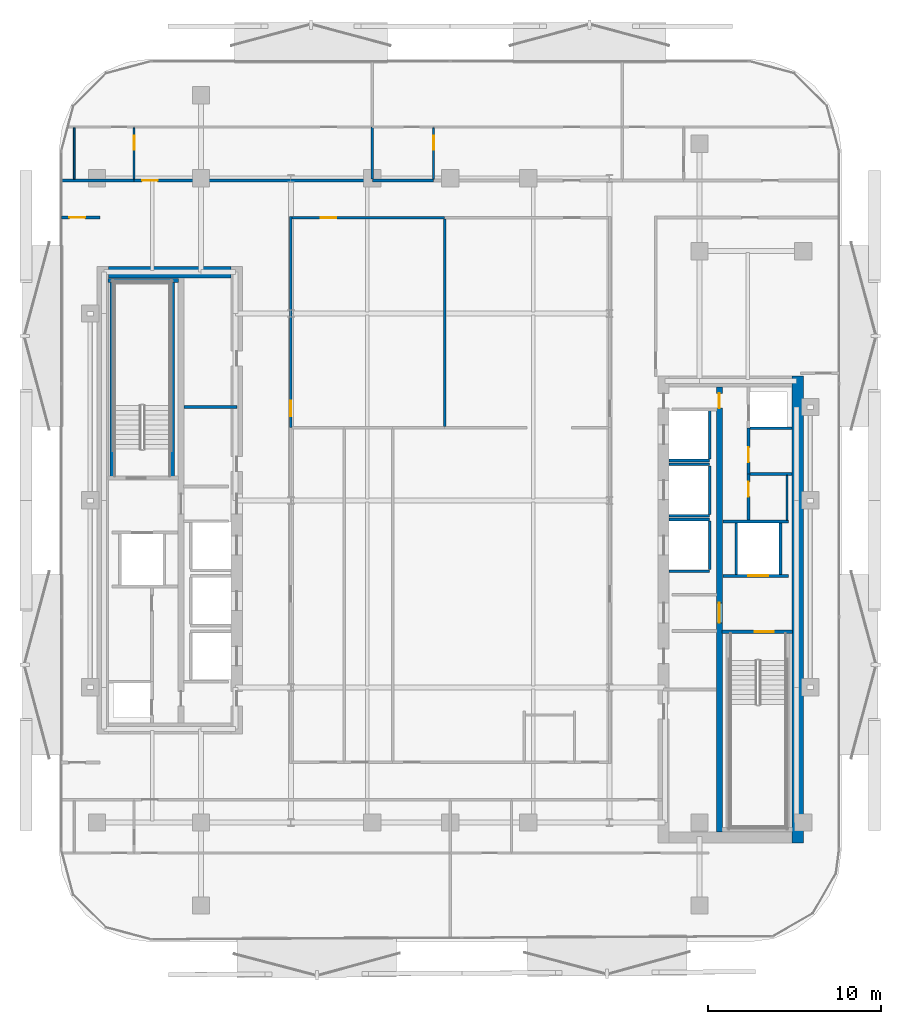
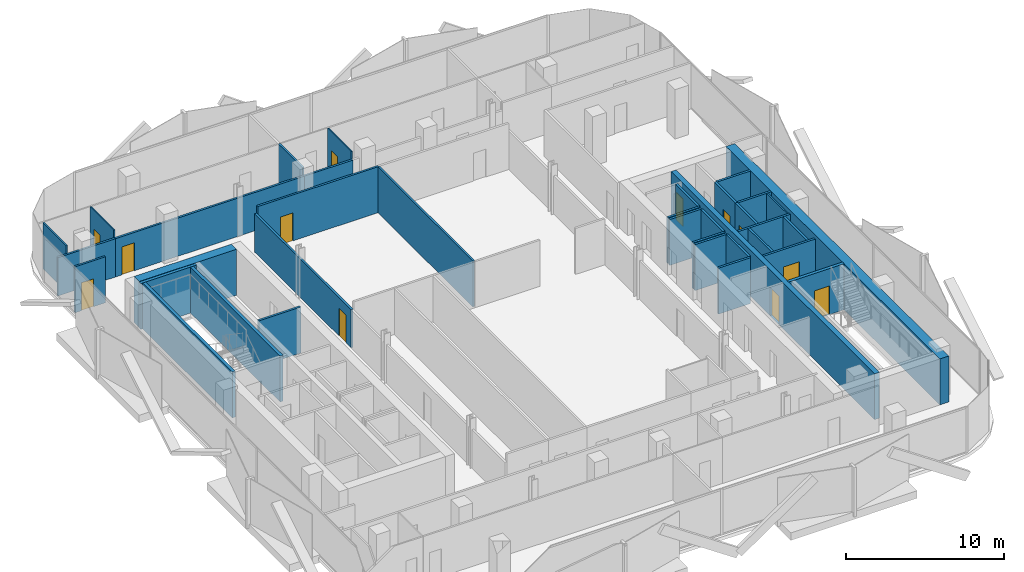
# One storey, part 5 of 16: 36 walls, 12 doors, 12 openings.
"""IFC4 building model written with IfcOpenShell, lengths in metres."""

import ifcopenshell
import ifcopenshell.guid

model = None  # the IFC model being written
_history = None  # IfcOwnerHistory: only IFC2X3 demands one
_inside = {}  # id of a spatial element -> (the spatial element, [elements in it])
_under = {}  # id of a project, library or spatial element -> (it, [spatial elements below it])
_declared = {}  # id of a project -> (the project, [libraries it declares])
_typed = {}  # id of a type object -> (the type object, [elements of that type])
_made_of = {}  # id of a material, layer set ... -> (it, [elements and type objects made of it])


def new_model(schema):
    """Start an empty IFC model of exactly this schema.

    Asked for "IFC4X3", IfcOpenShell would pick the latest addendum, in which some entities
    have other attributes; the version numbers below select the first issue.
    IFC2X3 requires an IfcOwnerHistory on every rooted entity: one is made here for all.
    """
    global model, _history
    if schema == "IFC4X3":
        model = ifcopenshell.file(schema_version=(4, 3, 0, 0))
    else:
        model = ifcopenshell.file(schema=schema)
    _inside.clear()
    _under.clear()
    _declared.clear()
    _typed.clear()
    _made_of.clear()
    _history = None
    if model.schema == "IFC2X3":
        org = make("IfcOrganization", Name="unknown")
        user = make(
            "IfcPersonAndOrganization",
            ThePerson=make("IfcPerson", FamilyName="unknown"),
            TheOrganization=org,
        )
        app = make(
            "IfcApplication",
            ApplicationDeveloper=org,
            Version="unknown",
            ApplicationFullName="unknown",
            ApplicationIdentifier="unknown",
        )
        _history = make(
            "IfcOwnerHistory",
            OwningUser=user,
            OwningApplication=app,
            ChangeAction="ADDED",
            CreationDate=0,
        )
    return model


def make(cls, **values):
    """One entity of the class cls with the attributes given. An attribute that is None is left unset."""
    return model.create_entity(
        cls, **{name: value for name, value in values.items() if value is not None}
    )


def rooted(cls, **values):
    """An entity with a GlobalId (a new one), such as an element, a storey or a relation."""
    return make(cls, GlobalId=ifcopenshell.guid.new(), OwnerHistory=_history, **values)


def si_unit(unit_type, name, prefix=None):
    """IfcSIUnit, for example si_unit("LENGTHUNIT", "METRE", prefix="MILLI")."""
    return make("IfcSIUnit", UnitType=unit_type, Prefix=prefix, Name=name)


def assignment(units):
    """IfcUnitAssignment: the units of a project."""
    return None if units is None else make("IfcUnitAssignment", Units=units)


def point(xyz):
    """IfcCartesianPoint."""
    return None if xyz is None else make("IfcCartesianPoint", Coordinates=xyz)


def direction(xyz):
    """IfcDirection."""
    return None if xyz is None else make("IfcDirection", DirectionRatios=xyz)


def frame(location, z_axis=None, x_axis=None):
    """IfcAxis2Placement3D, a coordinate frame: its origin and axes. An axis left out is left unset."""
    return make(
        "IfcAxis2Placement3D",
        Location=point(location),
        Axis=direction(z_axis),
        RefDirection=direction(x_axis),
    )


def frame_2d(location, x_axis=None):
    """IfcAxis2Placement2D, a coordinate frame in the plane: its origin and x axis."""
    return make(
        "IfcAxis2Placement2D", Location=point(location), RefDirection=direction(x_axis)
    )


def origin():
    """The frame at (0, 0, 0) with its axes left unset."""
    return frame((0.0, 0.0, 0.0))


def place(relative_to, where):
    """IfcLocalPlacement: puts the frame where relative to a parent placement (None: the world)."""
    return make(
        "IfcLocalPlacement", PlacementRelTo=relative_to, RelativePlacement=where
    )


def context(
    kind, dimensions, precision=None, world=None, true_north=None, identifier=None
):
    """IfcGeometricRepresentationContext, for example the 3D "Model" context."""
    return make(
        "IfcGeometricRepresentationContext",
        ContextIdentifier=identifier,
        ContextType=kind,
        CoordinateSpaceDimension=dimensions,
        Precision=precision,
        WorldCoordinateSystem=world,
        TrueNorth=true_north,
    )


def subcontext(parent, identifier, kind, view, scale=None):
    """IfcGeometricRepresentationSubContext, for example "Body" below "Model"."""
    return make(
        "IfcGeometricRepresentationSubContext",
        ContextIdentifier=identifier,
        ContextType=kind,
        ParentContext=parent,
        TargetScale=scale,
        TargetView=view,
    )


def project(units=None, contexts=None):
    """IfcProject with its units and contexts."""
    return rooted(
        "IfcProject",
        Name="project",
        RepresentationContexts=contexts,
        UnitsInContext=assignment(units),
    )


def spatial(cls, under=None, at=None, **own):
    """A site, building, storey or space (cls), placed at a placement, below another one or the project."""
    s = rooted(cls, ObjectPlacement=at, **own)
    if under is not None:
        _under.setdefault(under.id(), (under, []))[1].append(s)
    return s


def profile(cls, at=None, kind="AREA", **sizes):
    """A parametric profile (cls). Its sizes go by their IFC names, for example OverallWidth=200.0."""
    return make(cls, ProfileType=kind, Position=at, **sizes)


def rectangle(**sizes):
    """IfcRectangleProfileDef."""
    return profile("IfcRectangleProfileDef", **sizes)


def extrude(swept, where, along, depth):
    """IfcExtrudedAreaSolid: the profile swept, set in the frame where, extruded along a direction by depth."""
    return make(
        "IfcExtrudedAreaSolid",
        SweptArea=swept,
        Position=where,
        ExtrudedDirection=direction(along),
        Depth=depth,
    )


def shape(context_of_items, identifier, shape_type, items):
    """IfcShapeRepresentation: the items that make up one representation, for example the "Body"."""
    return make(
        "IfcShapeRepresentation",
        ContextOfItems=context_of_items,
        RepresentationIdentifier=identifier,
        RepresentationType=shape_type,
        Items=items,
    )


def material(Name=None, Category=None):
    """IfcMaterial."""
    return make("IfcMaterial", Name=Name, Category=Category)


def layer(
    of_material, thickness, ventilated=None, Name=None, Category=None, Priority=None
):
    """IfcMaterialLayer: one layer of a wall or slab, of a material (None: an air gap)."""
    return make(
        "IfcMaterialLayer",
        Material=of_material,
        LayerThickness=thickness,
        IsVentilated=ventilated,
        Name=Name,
        Category=Category,
        Priority=Priority,
    )


def layer_set(layers, Name=None):
    """IfcMaterialLayerSet."""
    return make("IfcMaterialLayerSet", MaterialLayers=layers, LayerSetName=Name)


def made_of(thing, what):
    """Note that an element or type object is made of a material, layer set ...; save() writes the relation."""
    if what is not None:
        _made_of.setdefault(what.id(), (what, []))[1].append(thing)
    return thing


def type_object(cls, material=None, **own):
    """A type object (cls), such as IfcWallType, which elements share."""
    return made_of(rooted(cls, **own), material)


def element(
    cls,
    number,
    at=None,
    inside=None,
    cuts=None,
    type_object=None,
    material=None,
    context=None,
    identifier="Body",
    shape_type=None,
    held_by="IfcProductDefinitionShape",
    body=None,
    shapes=None,
    **own,
):
    """One element of the class cls, such as IfcWall. Its Tag is "e" and its number.

    at: its placement. inside: the storey or other place that contains it. cuts: it is an
    opening in that element (IfcRelVoidsElement). A single representation is given by context,
    identifier, shape_type and body (its items); several are given by shapes. held_by: the class
    of the entity that holds the representations. save() writes the other relations.
    """
    e = rooted(cls, Tag="e%d" % number, ObjectPlacement=at, **own)
    if body is not None:
        shapes = [shape(context, identifier, shape_type, body)]
    if shapes is not None:
        e.Representation = make(held_by, Representations=shapes)
    if inside is not None:
        _inside.setdefault(inside.id(), (inside, []))[1].append(e)
    if cuts is not None:
        rooted(
            "IfcRelVoidsElement", RelatingBuildingElement=cuts, RelatedOpeningElement=e
        )
    if type_object is not None:
        _typed.setdefault(type_object.id(), (type_object, []))[1].append(e)
    return made_of(e, material)


def fill(opening, filler):
    """IfcRelFillsElement: the door or window that sits in an opening."""
    return rooted(
        "IfcRelFillsElement",
        RelatingOpeningElement=opening,
        RelatedBuildingElement=filler,
    )


def aggregate(whole, parts):
    """IfcRelAggregates: a whole, such as a stair, and the parts it consists of."""
    return rooted("IfcRelAggregates", RelatingObject=whole, RelatedObjects=parts)


def save(model, path):
    """Write the relations noted so far, then the file.

    IfcRelAggregates (storeys below a building ...), IfcRelContainedInSpatialStructure (elements
    in a storey), IfcRelDefinesByType, IfcRelAssociatesMaterial and IfcRelDeclares: one each for
    every whole, place, type object, material and project.
    """
    for whole, parts in _under.values():
        aggregate(whole, parts)
    for where, things in _inside.values():
        rooted(
            "IfcRelContainedInSpatialStructure",
            RelatedElements=things,
            RelatingStructure=where,
        )
    for kind, things in _typed.values():
        rooted("IfcRelDefinesByType", RelatedObjects=things, RelatingType=kind)
    for what, things in _made_of.values():
        rooted("IfcRelAssociatesMaterial", RelatedObjects=things, RelatingMaterial=what)
    for by, libraries in _declared.values():
        rooted("IfcRelDeclares", RelatingContext=by, RelatedDefinitions=libraries)
    model.write(path)


model = new_model("IFC4")

# Units and contexts
model_context = context("Model", 3, precision=1e-05, world=origin(), true_north=direction((0.0, 1.0)))
body_context = subcontext(model_context, "Body", "Model", "MODEL_VIEW")
ifc_project = project(units=[si_unit("LENGTHUNIT", "METRE"), si_unit("AREAUNIT", "SQUARE_METRE"), si_unit("VOLUMEUNIT", "CUBIC_METRE"), si_unit("PLANEANGLEUNIT", "RADIAN"), si_unit("MASSUNIT", "GRAM", prefix="KILO")], contexts=[model_context])

# Site, building, storey
site_placement = place(None, origin())
site = spatial("IfcSite", under=ifc_project, at=site_placement, CompositionType="ELEMENT")
building_placement = place(site_placement, origin())
building = spatial("IfcBuilding", under=site, at=building_placement, Name="Khairoan Windgate Tower", CompositionType="ELEMENT")
storey_placement = place(building_placement, frame((0.0, 0.0, 206.800048828125)))
storey = spatial("IfcBuildingStorey", under=building, at=storey_placement, Name="L48", CompositionType="ELEMENT", Elevation=206.800048828125)

# Wall, opening, door
ifc_material_1 = material(Name="Moisture-Resistant Gypsum Partition", Category="gypsum")
ifc_layer_1 = layer(ifc_material_1, 0.10009765625, Name="Moisture-Resistant Gypsum Partition")
ifc_layer_set_1 = layer_set([ifc_layer_1], Name="Moisture-Resistant Gypsum Partition")
wall_type_1 = type_object("IfcWallType", Name="Bathroom Wet-Area Partition Wall", PredefinedType="PARTITIONING", material=ifc_layer_set_1)
wall_1_placement = place(storey_placement, frame((-18.260009765625, 18.554931640625, 0.0), z_axis=(0.0, 0.0, 1.0), x_axis=(0.0, 1.0, 0.0)))
wall_1 = element("IfcWall", 1, at=wall_1_placement, inside=storey, type_object=wall_type_1, Name="L48 Interior Partition 046", PredefinedType="PARTITIONING", context=body_context, shape_type="SweptSolid", body=[
    extrude(rectangle(XDim=2.965087890625, YDim=0.10009765625, at=frame_2d((1.482421875, 0.0))), origin(), (0.0, 0.0, 1.0), 3.5400390625),
])
opening_1_placement = place(wall_1_placement, frame((1.705078125, 0.0, 0.0)))
opening_1 = element("IfcOpeningElement", 2, at=opening_1_placement, cuts=wall_1, Name="Opening ID-BTH", PredefinedType="OPENING", context=body_context, shape_type="SweptSolid", body=[
    extrude(rectangle(XDim=0.800048828125, YDim=2.10009765625, at=frame_2d((0.39990234375, 1.050048828125))), frame((0.0, 0.06005859375, 0.0), z_axis=(0.0, -1.0, 0.0), x_axis=(1.0, 0.0, 0.0)), (0.0, 0.0, 1.0), 0.1201171875),
])
ifc_material_2 = material(Name="Teak Veneer Timber Leaf", Category="wood")
door_type_1 = type_object("IfcDoorType", Name="Internal Bathroom Door ID-BTH 800x2100", OperationType="NOTDEFINED", PredefinedType="DOOR", material=ifc_material_2)
door_1_placement = place(opening_1_placement, origin())
door_1 = element("IfcDoor", 3, at=door_1_placement, inside=storey, type_object=door_type_1, Name="L48 L48-39-L48-40 Door", OperationType="SINGLE_SWING_LEFT", OverallHeight=2.10009765625, OverallWidth=0.800048828125, PredefinedType="DOOR", context=body_context, shape_type="SweptSolid", body=[
    extrude(rectangle(XDim=0.800048828125, YDim=2.10009765625, at=frame_2d((0.39990234375, 1.050048828125))), frame((0.0, 0.02490234375, 0.0), z_axis=(0.0, -1.0, 0.0), x_axis=(1.0, 0.0, 0.0)), (0.0, 0.0, 1.0), 0.050048828125),
])
fill(opening_1, door_1)

wall_2_placement = place(storey_placement, frame((-0.9599609375, 18.554931640625, 0.0), z_axis=(0.0, 0.0, 1.0), x_axis=(0.0, 1.0, 0.0)))
wall_2 = element("IfcWall", 4, at=wall_2_placement, inside=storey, type_object=wall_type_1, Name="L48 Interior Partition 051", PredefinedType="PARTITIONING", context=body_context, shape_type="SweptSolid", body=[
    extrude(rectangle(XDim=2.965087890625, YDim=0.10009765625, at=frame_2d((1.482421875, 0.0))), origin(), (0.0, 0.0, 1.0), 3.5400390625),
])
opening_2_placement = place(wall_2_placement, frame((1.705078125, 0.0, 0.0)))
opening_2 = element("IfcOpeningElement", 5, at=opening_2_placement, cuts=wall_2, Name="Opening ID-BTH", PredefinedType="OPENING", context=body_context, shape_type="SweptSolid", body=[
    extrude(rectangle(XDim=0.800048828125, YDim=2.10009765625, at=frame_2d((0.39990234375, 1.050048828125))), frame((0.0, 0.06005859375, 0.0), z_axis=(0.0, -1.0, 0.0), x_axis=(1.0, 0.0, 0.0)), (0.0, 0.0, 1.0), 0.1201171875),
])
door_2_placement = place(opening_2_placement, origin())
door_2 = element("IfcDoor", 6, at=door_2_placement, inside=storey, type_object=door_type_1, Name="L48 L48-42-L48-43 Door", OperationType="SINGLE_SWING_RIGHT", OverallHeight=2.10009765625, OverallWidth=0.800048828125, PredefinedType="DOOR", context=body_context, shape_type="SweptSolid", body=[
    extrude(rectangle(XDim=0.800048828125, YDim=2.10009765625, at=frame_2d((0.39990234375, 1.050048828125))), frame((0.0, 0.02490234375, 0.0), z_axis=(0.0, -1.0, 0.0), x_axis=(1.0, 0.0, 0.0)), (0.0, 0.0, 1.0), 0.050048828125),
])
fill(opening_2, door_2)

# Walls
wall_3_placement = place(storey_placement, frame((19.449951171875, 1.449951171875, 0.0), z_axis=(0.0, 0.0, 1.0), x_axis=(0.0, -1.0, 0.0)))
element("IfcWall", 7, at=wall_3_placement, inside=storey, type_object=wall_type_1, Name="L48 Wet Room Side Wall 068", PredefinedType="PARTITIONING", context=body_context, shape_type="SweptSolid", body=[
    extrude(rectangle(XDim=2.58984375, YDim=0.10009765625, at=frame_2d((1.294921875, 0.0))), origin(), (0.0, 0.0, 1.0), 3.5400390625),
])
wall_4_placement = place(storey_placement, frame((-21.719970703125, 18.554931640625, 0.0), z_axis=(0.0, 0.0, 1.0), x_axis=(0.0, 1.0, 0.0)))
element("IfcWall", 8, at=wall_4_placement, inside=storey, type_object=wall_type_1, Name="L48 Wet Room Side Wall 070", PredefinedType="PARTITIONING", context=body_context, shape_type="SweptSolid", body=[
    extrude(rectangle(XDim=2.965087890625, YDim=0.10009765625, at=frame_2d((1.482421875, 0.0))), origin(), (0.0, 0.0, 1.0), 3.5400390625),
])
ifc_material_3 = material(Name="Concrete C40/50", Category="concrete")
ifc_layer_2 = layer(ifc_material_3, 0.159912109375, Name="Concrete C40/50")
ifc_layer_set_2 = layer_set([ifc_layer_2], Name="Concrete C40/50")
wall_type_2 = type_object("IfcWallType", Name="Core and Hoistway Enclosure Wall", PredefinedType="STANDARD", material=ifc_layer_set_2)
wall_5_placement = place(storey_placement, frame((12.64990234375, 2.31005859375, 0.0), z_axis=(0.0, 0.0, 1.0), x_axis=(1.0, 0.0, 0.0)))
element("IfcWall", 9, at=wall_5_placement, inside=storey, type_object=wall_type_2, Name="L48 Lift PL7 Hoistway Divider S", PredefinedType="STANDARD", context=body_context, shape_type="SweptSolid", body=[
    extrude(rectangle(XDim=2.340087890625, YDim=0.159912109375, at=frame_2d((1.169921875, 0.0))), origin(), (0.0, 0.0, 1.0), 3.5400390625),
])
wall_6_placement = place(storey_placement, frame((14.989990234375, 2.39990234375, 0.0), z_axis=(0.0, 0.0, 1.0), x_axis=(0.0, 1.0, 0.0)))
element("IfcWall", 10, at=wall_6_placement, inside=storey, type_object=wall_type_2, Name="L48 Lift PL7 Hoistway Back Wall", PredefinedType="STANDARD", context=body_context, shape_type="SweptSolid", body=[
    extrude(rectangle(XDim=2.800048828125, YDim=0.159912109375, at=frame_2d((1.39990234375, 0.0))), origin(), (0.0, 0.0, 1.0), 3.5400390625),
])
for number, where, z_axis, x_axis, name in (
    (11, (12.64990234375, -0.889892578125, 0.0), (0.0, 0.0, 1.0), (1.0, 0.0, 0.0), "L48 Lift PL8 Hoistway Divider S"),
    (12, (12.64990234375, 2.090087890625, 0.0), (0.0, 0.0, 1.0), (1.0, 0.0, 0.0), "L48 Lift PL8 Hoistway Divider N"),
):
    element("IfcWall", number, at=place(storey_placement, frame(where, z_axis=z_axis, x_axis=x_axis)), inside=storey, type_object=wall_type_2, Name=name, PredefinedType="STANDARD", context=body_context, shape_type="SweptSolid", body=[
        extrude(rectangle(XDim=2.340087890625, YDim=0.159912109375, at=frame_2d((1.169921875, 0.0))), origin(), (0.0, 0.0, 1.0), 3.5400390625),
    ])
wall_7_placement = place(storey_placement, frame((14.989990234375, -0.800048828125, 0.0), z_axis=(0.0, 0.0, 1.0), x_axis=(0.0, 1.0, 0.0)))
element("IfcWall", 13, at=wall_7_placement, inside=storey, type_object=wall_type_2, Name="L48 Lift PL8 Hoistway Back Wall", PredefinedType="STANDARD", context=body_context, shape_type="SweptSolid", body=[
    extrude(rectangle(XDim=2.800048828125, YDim=0.159912109375, at=frame_2d((1.39990234375, 0.0))), origin(), (0.0, 0.0, 1.0), 3.5400390625),
])
for number, where, z_axis, x_axis, name in (
    (14, (12.64990234375, -4.090087890625, 0.0), (0.0, 0.0, 1.0), (1.0, 0.0, 0.0), "L48 Lift PL9 Hoistway Divider S"),
    (15, (12.64990234375, -1.110107421875, 0.0), (0.0, 0.0, 1.0), (1.0, 0.0, 0.0), "L48 Lift PL9 Hoistway Divider N"),
):
    element("IfcWall", number, at=place(storey_placement, frame(where, z_axis=z_axis, x_axis=x_axis)), inside=storey, type_object=wall_type_2, Name=name, PredefinedType="STANDARD", context=body_context, shape_type="SweptSolid", body=[
        extrude(rectangle(XDim=2.340087890625, YDim=0.159912109375, at=frame_2d((1.169921875, 0.0))), origin(), (0.0, 0.0, 1.0), 3.5400390625),
    ])
wall_8_placement = place(storey_placement, frame((14.989990234375, -4.0, 0.0), z_axis=(0.0, 0.0, 1.0), x_axis=(0.0, 1.0, 0.0)))
element("IfcWall", 16, at=wall_8_placement, inside=storey, type_object=wall_type_2, Name="L48 Lift PL9 Hoistway Back Wall", PredefinedType="STANDARD", context=body_context, shape_type="SweptSolid", body=[
    extrude(rectangle(XDim=2.800048828125, YDim=0.159912109375, at=frame_2d((1.39990234375, 0.0))), origin(), (0.0, 0.0, 1.0), 3.5400390625),
])

# Wall, opening, door
wall_9_placement = place(storey_placement, frame((15.75, -4.360107421875, 0.0), z_axis=(0.0, 0.0, 1.0), x_axis=(1.0, 0.0, 0.0)))
wall_9 = element("IfcWall", 17, at=wall_9_placement, inside=storey, type_object=wall_type_2, Name="L48 Core Shaft Wall SW-FL1-L48", PredefinedType="STANDARD", context=body_context, shape_type="SweptSolid", body=[
    extrude(rectangle(XDim=3.800048828125, YDim=0.159912109375, at=frame_2d((1.89990234375, 0.0))), origin(), (0.0, 0.0, 1.0), 3.5400390625),
])
opening_3_placement = place(wall_9_placement, frame((1.469970703125, 0.0, 0.0)))
opening_3 = element("IfcOpeningElement", 18, at=opening_3_placement, cuts=wall_9, Name="Opening LD-FL", PredefinedType="OPENING", context=body_context, shape_type="SweptSolid", body=[
    extrude(rectangle(XDim=1.14990234375, YDim=2.199951171875, at=frame_2d((0.574951171875, 1.10009765625))), frame((0.0, 0.08984375, 0.0), z_axis=(0.0, -1.0, 0.0), x_axis=(1.0, 0.0, 0.0)), (0.0, 0.0, 1.0), 0.179931640625),
])
ifc_material_4 = material(Name="Steel S355", Category="steel")
door_type_2 = type_object("IfcDoorType", Name="Firefighting Lift Sliding Landing Door LD-FL 1150x2200", OperationType="DOUBLE_DOOR_SLIDING", PredefinedType="DOOR", material=ifc_material_4)
door_3_placement = place(opening_3_placement, origin())
door_3 = element("IfcDoor", 19, at=door_3_placement, inside=storey, type_object=door_type_2, Name="L48 Firefighting Lift FL1 Landing Door", OperationType="DOUBLE_DOOR_SLIDING", OverallHeight=2.199951171875, OverallWidth=1.14990234375, PredefinedType="DOOR", context=body_context, shape_type="SweptSolid", body=[
    extrude(rectangle(XDim=1.14990234375, YDim=2.199951171875, at=frame_2d((0.574951171875, 1.10009765625))), frame((0.0, 0.02490234375, 0.0), z_axis=(0.0, -1.0, 0.0), x_axis=(1.0, 0.0, 0.0)), (0.0, 0.0, 1.0), 0.050048828125),
])
fill(opening_3, door_3)

# Walls
wall_10_placement = place(storey_placement, frame((15.75, -1.219970703125, 0.0), z_axis=(0.0, 0.0, 1.0), x_axis=(1.0, 0.0, 0.0)))
element("IfcWall", 20, at=wall_10_placement, inside=storey, type_object=wall_type_2, Name="L48 Core Shaft Wall SW-FL1T-L48", PredefinedType="STANDARD", context=body_context, shape_type="SweptSolid", body=[
    extrude(rectangle(XDim=3.800048828125, YDim=0.159912109375, at=frame_2d((1.89990234375, 0.0))), origin(), (0.0, 0.0, 1.0), 3.5400390625),
])
for number, where, z_axis, x_axis, name in (
    (21, (16.52001953125, -4.280029296875, 0.0), (0.0, 0.0, 1.0), (0.0, 1.0, 0.0), "L48 Core Shaft Wall SW-FL1W-L48"),
    (22, (19.080078125, -4.280029296875, 0.0), (0.0, 0.0, 1.0), (0.0, 1.0, 0.0), "L48 Core Shaft Wall SW-FL1E-L48"),
):
    element("IfcWall", number, at=place(storey_placement, frame(where, z_axis=z_axis, x_axis=x_axis)), inside=storey, type_object=wall_type_2, Name=name, PredefinedType="STANDARD", context=body_context, shape_type="SweptSolid", body=[
        extrude(rectangle(XDim=2.97998046875, YDim=0.159912109375, at=frame_2d((1.489990234375, 0.0))), origin(), (0.0, 0.0, 1.0), 3.5400390625),
    ])
ifc_material_5 = material(Name="Acoustic Fire-Rated Gypsum Partition", Category="gypsum")
ifc_layer_3 = layer(ifc_material_5, 0.139892578125, Name="Acoustic Fire-Rated Gypsum Partition")
ifc_layer_set_3 = layer_set([ifc_layer_3], Name="Acoustic Fire-Rated Gypsum Partition")
wall_type_3 = type_object("IfcWallType", Name="Inter-Tenancy Compartment Wall", PredefinedType="PARTITIONING", material=ifc_layer_set_3)
wall_11_placement = place(storey_placement, frame((-0.320068359375, 4.27001953125, 0.0), z_axis=(0.0, 0.0, 1.0), x_axis=(0.0, 1.0, 0.0)))
element("IfcWall", 23, at=wall_11_placement, inside=storey, type_object=wall_type_3, Name="L48 Interior Partition 045", PredefinedType="PARTITIONING", context=body_context, shape_type="SweptSolid", body=[
    extrude(rectangle(XDim=11.97509765625, YDim=0.139892578125, at=frame_2d((5.987548828125, 0.0))), origin(), (0.0, 0.0, 1.0), 3.5400390625),
])
wall_12_placement = place(storey_placement, frame((-4.5, 18.554931640625, 0.0), z_axis=(0.0, 0.0, 1.0), x_axis=(0.0, 1.0, 0.0)))
element("IfcWall", 24, at=wall_12_placement, inside=storey, type_object=wall_type_3, Name="L48 Interior Partition 049", PredefinedType="PARTITIONING", context=body_context, shape_type="SweptSolid", body=[
    extrude(rectangle(XDim=3.01513671875, YDim=0.139892578125, at=frame_2d((1.507568359375, 0.0))), origin(), (0.0, 0.0, 1.0), 3.5400390625),
])
ifc_material_6 = material(Name="Concrete C40/50", Category="concrete")
ifc_layer_4 = layer(ifc_material_6, 0.159912109375, Name="Concrete C40/50")
ifc_layer_set_4 = layer_set([ifc_layer_4], Name="Concrete C40/50")
wall_type_4 = type_object("IfcWallType", Name="Plant and Refuge Compartment Wall", PredefinedType="PARTITIONING", material=ifc_layer_set_4)
wall_13_placement = place(storey_placement, frame((-15.375, 5.39990234375, 0.0), z_axis=(0.0, 0.0, 1.0), x_axis=(1.0, 0.0, 0.0)))
element("IfcWall", 25, at=wall_13_placement, inside=storey, type_object=wall_type_4, Name="L48 Interior Partition 004", PredefinedType="PARTITIONING", context=body_context, shape_type="SweptSolid", body=[
    extrude(rectangle(XDim=3.06494140625, YDim=0.159912109375, at=frame_2d((1.532470703125, 0.0))), origin(), (0.0, 0.0, 1.0), 3.5400390625),
])

# Wall, opening, door
wall_14_placement = place(storey_placement, frame((17.22998046875, -1.139892578125, 0.0), z_axis=(0.0, 0.0, 1.0), x_axis=(0.0, 1.0, 0.0)))
wall_14 = element("IfcWall", 26, at=wall_14_placement, inside=storey, type_object=wall_type_4, Name="L48 Interior Partition 006", PredefinedType="PARTITIONING", context=body_context, shape_type="SweptSolid", body=[
    extrude(rectangle(XDim=2.669921875, YDim=0.159912109375, at=frame_2d((1.3349609375, 0.0))), origin(), (0.0, 0.0, 1.0), 3.5400390625),
])
opening_4_placement = place(wall_14_placement, frame((1.360107421875, 0.0, 0.0)))
opening_4 = element("IfcOpeningElement", 27, at=opening_4_placement, cuts=wall_14, Name="Opening FD-SRV", PredefinedType="OPENING", context=body_context, shape_type="SweptSolid", body=[
    extrude(rectangle(XDim=0.85009765625, YDim=2.10009765625, at=frame_2d((0.425048828125, 1.050048828125))), frame((0.0, 0.08984375, 0.0), z_axis=(0.0, -1.0, 0.0), x_axis=(1.0, 0.0, 0.0)), (0.0, 0.0, 1.0), 0.179931640625),
])
ifc_material_7 = material(Name="Steel S355", Category="steel")
door_type_3 = type_object("IfcDoorType", Name="Core Service and Riser Fire Door FD-SRV 850x2100", OperationType="NOTDEFINED", PredefinedType="DOOR", material=ifc_material_7)
door_4_placement = place(opening_4_placement, origin())
door_4 = element("IfcDoor", 28, at=door_4_placement, inside=storey, type_object=door_type_3, Name="L48 L48-17-L48-19 Door", OperationType="SINGLE_SWING_LEFT", OverallHeight=2.10009765625, OverallWidth=0.85009765625, PredefinedType="DOOR", context=body_context, shape_type="SweptSolid", body=[
    extrude(rectangle(XDim=0.85009765625, YDim=2.10009765625, at=frame_2d((0.425048828125, 1.050048828125))), frame((0.0, 0.02490234375, 0.0), z_axis=(0.0, -1.0, 0.0), x_axis=(1.0, 0.0, 0.0)), (0.0, 0.0, 1.0), 0.050048828125),
])
fill(opening_4, door_4)

wall_15_placement = place(storey_placement, frame((17.22998046875, 1.530029296875, 0.0), z_axis=(0.0, 0.0, 1.0), x_axis=(0.0, 1.0, 0.0)))
wall_15 = element("IfcWall", 29, at=wall_15_placement, inside=storey, type_object=wall_type_4, Name="L48 Interior Partition 007", PredefinedType="PARTITIONING", context=body_context, shape_type="SweptSolid", body=[
    extrude(rectangle(XDim=2.639892578125, YDim=0.159912109375, at=frame_2d((1.31982421875, 0.0))), origin(), (0.0, 0.0, 1.0), 3.5400390625),
])
opening_5_placement = place(wall_15_placement, frame((0.677490234375, 0.0, 0.0)))
opening_5 = element("IfcOpeningElement", 30, at=opening_5_placement, cuts=wall_15, Name="Opening FD-SRV", PredefinedType="OPENING", context=body_context, shape_type="SweptSolid", body=[
    extrude(rectangle(XDim=0.85009765625, YDim=2.10009765625, at=frame_2d((0.425048828125, 1.050048828125))), frame((0.0, 0.08984375, 0.0), z_axis=(0.0, -1.0, 0.0), x_axis=(1.0, 0.0, 0.0)), (0.0, 0.0, 1.0), 0.179931640625),
])
door_5_placement = place(opening_5_placement, origin())
door_5 = element("IfcDoor", 31, at=door_5_placement, inside=storey, type_object=door_type_3, Name="L48 L48-17-L48-20 Door", OperationType="SINGLE_SWING_RIGHT", OverallHeight=2.10009765625, OverallWidth=0.85009765625, PredefinedType="DOOR", context=body_context, shape_type="SweptSolid", body=[
    extrude(rectangle(XDim=0.85009765625, YDim=2.10009765625, at=frame_2d((0.425048828125, 1.050048828125))), frame((0.0, 0.02490234375, 0.0), z_axis=(0.0, -1.0, 0.0), x_axis=(1.0, 0.0, 0.0)), (0.0, 0.0, 1.0), 0.050048828125),
])
fill(opening_5, door_5)

# Walls
for number, where, z_axis, x_axis, name in (
    (32, (17.31005859375, 4.169921875, 0.0), (0.0, 0.0, 1.0), (1.0, 0.0, 0.0), "L48 Interior Partition 008"),
    (33, (17.31005859375, 1.530029296875, 0.0), (0.0, 0.0, 1.0), (1.0, 0.0, 0.0), "L48 Interior Partition 009"),
):
    element("IfcWall", number, at=place(storey_placement, frame(where, z_axis=z_axis, x_axis=x_axis)), inside=storey, type_object=wall_type_4, Name=name, PredefinedType="PARTITIONING", context=body_context, shape_type="SweptSolid", body=[
        extrude(rectangle(XDim=2.43994140625, YDim=0.159912109375, at=frame_2d((1.219970703125, 0.0))), origin(), (0.0, 0.0, 1.0), 3.5400390625),
    ])

# Wall, opening, door
ifc_material_8 = material(Name="Acoustic Fire-Rated Gypsum Partition", Category="gypsum")
ifc_layer_5 = layer(ifc_material_8, 0.14990234375, Name="Acoustic Fire-Rated Gypsum Partition")
ifc_layer_set_5 = layer_set([ifc_layer_5], Name="Acoustic Fire-Rated Gypsum Partition")
wall_type_5 = type_object("IfcWallType", Name="Rated Corridor Partition Wall", PredefinedType="PARTITIONING", material=ifc_layer_set_5)
wall_16_placement = place(storey_placement, frame((-9.219970703125, 4.199951171875, 0.0), z_axis=(0.0, 0.0, 1.0), x_axis=(0.0, 1.0, 0.0)))
wall_16 = element("IfcWall", 34, at=wall_16_placement, inside=storey, type_object=wall_type_5, Name="L48 Interior Partition 012", PredefinedType="PARTITIONING", context=body_context, shape_type="SweptSolid", body=[
    extrude(rectangle(XDim=12.195068359375, YDim=0.14990234375, at=frame_2d((6.09765625, 0.0))), origin(), (0.0, 0.0, 1.0), 2.951904296875),
])
opening_6_placement = place(wall_16_placement, frame((0.663330078125, 0.0, 0.0)))
opening_6 = element("IfcOpeningElement", 35, at=opening_6_placement, cuts=wall_16, Name="Opening FD-ENT", PredefinedType="OPENING", context=body_context, shape_type="SweptSolid", body=[
    extrude(rectangle(XDim=0.89990234375, YDim=2.14990234375, at=frame_2d((0.449951171875, 1.074951171875))), frame((0.0, 0.0849609375, 0.0), z_axis=(0.0, -1.0, 0.0), x_axis=(1.0, 0.0, 0.0)), (0.0, 0.0, 1.0), 0.169921875),
])
ifc_material_9 = material(Name="Timber Fire-Rated Core", Category="wood")
door_type_4 = type_object("IfcDoorType", Name="Unit and Office Fire Entrance Door FD-ENT 900x2150", OperationType="NOTDEFINED", PredefinedType="DOOR", material=ifc_material_9)
door_6_placement = place(opening_6_placement, origin())
door_6 = element("IfcDoor", 36, at=door_6_placement, inside=storey, type_object=door_type_4, Name="L48 L48-28-L48-37 Door", OperationType="SINGLE_SWING_RIGHT", OverallHeight=2.14990234375, OverallWidth=0.89990234375, PredefinedType="DOOR", context=body_context, shape_type="SweptSolid", body=[
    extrude(rectangle(XDim=0.89990234375, YDim=2.14990234375, at=frame_2d((0.449951171875, 1.074951171875))), frame((0.0, 0.02490234375, 0.0), z_axis=(0.0, -1.0, 0.0), x_axis=(1.0, 0.0, 0.0)), (0.0, 0.0, 1.0), 0.050048828125),
])
fill(opening_6, door_6)

wall_17_placement = place(storey_placement, frame((-9.14501953125, 16.320068359375, 0.0), z_axis=(0.0, 0.0, 1.0), x_axis=(1.0, 0.0, 0.0)))
wall_17 = element("IfcWall", 37, at=wall_17_placement, inside=storey, type_object=wall_type_5, Name="L48 Interior Partition 016", PredefinedType="PARTITIONING", context=body_context, shape_type="SweptSolid", body=[
    extrude(rectangle(XDim=8.824951171875, YDim=0.14990234375, at=frame_2d((4.41259765625, 0.0))), origin(), (0.0, 0.0, 1.0), 3.5400390625),
])
opening_7_placement = place(wall_17_placement, frame((1.660888671875, 0.0, 0.0)))
opening_7 = element("IfcOpeningElement", 38, at=opening_7_placement, cuts=wall_17, Name="Opening FD-ENT", PredefinedType="OPENING", context=body_context, shape_type="SweptSolid", body=[
    extrude(rectangle(XDim=0.89990234375, YDim=2.14990234375, at=frame_2d((0.449951171875, 1.074951171875))), frame((0.0, 0.0849609375, 0.0), z_axis=(0.0, -1.0, 0.0), x_axis=(1.0, 0.0, 0.0)), (0.0, 0.0, 1.0), 0.169921875),
])
door_7_placement = place(opening_7_placement, origin())
door_7 = element("IfcDoor", 39, at=door_7_placement, inside=storey, type_object=door_type_4, Name="L48 L48-30-L48-37 Door", OperationType="SINGLE_SWING_RIGHT", OverallHeight=2.14990234375, OverallWidth=0.89990234375, PredefinedType="DOOR", context=body_context, shape_type="SweptSolid", body=[
    extrude(rectangle(XDim=0.89990234375, YDim=2.14990234375, at=frame_2d((0.449951171875, 1.074951171875))), frame((0.0, 0.02490234375, 0.0), z_axis=(0.0, -1.0, 0.0), x_axis=(1.0, 0.0, 0.0)), (0.0, 0.0, 1.0), 0.050048828125),
])
fill(opening_7, door_7)

# Wall
wall_18_placement = place(storey_placement, frame((-22.455078125, 18.47998046875, 0.0), z_axis=(0.0, 0.0, 1.0), x_axis=(1.0, 0.0, 0.0)))
element("IfcWall", 40, at=wall_18_placement, inside=storey, type_object=wall_type_5, Name="L48 Interior Partition 018", PredefinedType="PARTITIONING", context=body_context, shape_type="SweptSolid", body=[
    extrude(rectangle(XDim=4.195068359375, YDim=0.14990234375, at=frame_2d((2.09765625, 0.0))), origin(), (0.0, 0.0, 1.0), 2.951904296875),
])

# Wall, opening, door
wall_19_placement = place(storey_placement, frame((-18.260009765625, 18.47998046875, 0.0), z_axis=(0.0, 0.0, 1.0), x_axis=(1.0, 0.0, 0.0)))
wall_19 = element("IfcWall", 41, at=wall_19_placement, inside=storey, type_object=wall_type_5, Name="L48 Interior Partition 019", PredefinedType="PARTITIONING", context=body_context, shape_type="SweptSolid", body=[
    extrude(rectangle(XDim=13.760009765625, YDim=0.14990234375, at=frame_2d((6.8798828125, 0.0))), origin(), (0.0, 0.0, 1.0), 2.951904296875),
])
opening_8_placement = place(wall_19_placement, frame((0.4599609375, 0.0, 0.0)))
opening_8 = element("IfcOpeningElement", 42, at=opening_8_placement, cuts=wall_19, Name="Opening FD-ENT", PredefinedType="OPENING", context=body_context, shape_type="SweptSolid", body=[
    extrude(rectangle(XDim=0.89990234375, YDim=2.14990234375, at=frame_2d((0.449951171875, 1.074951171875))), frame((0.0, 0.0849609375, 0.0), z_axis=(0.0, -1.0, 0.0), x_axis=(1.0, 0.0, 0.0)), (0.0, 0.0, 1.0), 0.169921875),
])
door_8_placement = place(opening_8_placement, origin())
door_8 = element("IfcDoor", 43, at=door_8_placement, inside=storey, type_object=door_type_4, Name="L48 L48-30-L48-40 Door", OperationType="SINGLE_SWING_RIGHT", OverallHeight=2.14990234375, OverallWidth=0.89990234375, PredefinedType="DOOR", context=body_context, shape_type="SweptSolid", body=[
    extrude(rectangle(XDim=0.89990234375, YDim=2.14990234375, at=frame_2d((0.449951171875, 1.074951171875))), frame((0.0, 0.02490234375, 0.0), z_axis=(0.0, -1.0, 0.0), x_axis=(1.0, 0.0, 0.0)), (0.0, 0.0, 1.0), 0.050048828125),
])
fill(opening_8, door_8)

# Wall
wall_20_placement = place(storey_placement, frame((-4.5, 18.47998046875, 0.0), z_axis=(0.0, 0.0, 1.0), x_axis=(1.0, 0.0, 0.0)))
element("IfcWall", 44, at=wall_20_placement, inside=storey, type_object=wall_type_5, Name="L48 Interior Partition 020", PredefinedType="PARTITIONING", context=body_context, shape_type="SweptSolid", body=[
    extrude(rectangle(XDim=3.5400390625, YDim=0.14990234375, at=frame_2d((1.77001953125, 0.0))), origin(), (0.0, 0.0, 1.0), 2.951904296875),
])

# Wall, opening, door
wall_21_placement = place(storey_placement, frame((-22.455078125, 16.340087890625, 0.0), z_axis=(0.0, 0.0, 1.0), x_axis=(1.0, 0.0, 0.0)))
wall_21 = element("IfcWall", 45, at=wall_21_placement, inside=storey, type_object=wall_type_5, Name="L48 Interior Partition 025", PredefinedType="PARTITIONING", context=body_context, shape_type="SweptSolid", body=[
    extrude(rectangle(XDim=2.215087890625, YDim=0.14990234375, at=frame_2d((1.107421875, 0.0))), origin(), (0.0, 0.0, 1.0), 3.5400390625),
])
opening_9_placement = place(wall_21_placement, frame((0.4599609375, 0.0, 0.0)))
opening_9 = element("IfcOpeningElement", 46, at=opening_9_placement, cuts=wall_21, Name="Opening FD-ENT", PredefinedType="OPENING", context=body_context, shape_type="SweptSolid", body=[
    extrude(rectangle(XDim=0.89990234375, YDim=2.14990234375, at=frame_2d((0.449951171875, 1.074951171875))), frame((0.0, 0.0849609375, 0.0), z_axis=(0.0, -1.0, 0.0), x_axis=(1.0, 0.0, 0.0)), (0.0, 0.0, 1.0), 0.169921875),
])
door_9_placement = place(opening_9_placement, origin())
door_9 = element("IfcDoor", 47, at=door_9_placement, inside=storey, type_object=door_type_4, Name="L48 L48-30-L48-55 Door", OperationType="SINGLE_SWING_RIGHT", OverallHeight=2.14990234375, OverallWidth=0.89990234375, PredefinedType="DOOR", context=body_context, shape_type="SweptSolid", body=[
    extrude(rectangle(XDim=0.89990234375, YDim=2.14990234375, at=frame_2d((0.449951171875, 1.074951171875))), frame((0.0, 0.02490234375, 0.0), z_axis=(0.0, -1.0, 0.0), x_axis=(1.0, 0.0, 0.0)), (0.0, 0.0, 1.0), 0.050048828125),
])
fill(opening_9, door_9)

# Walls
ifc_material_10 = material(Name="Concrete C60/75", Category="concrete")
ifc_layer_6 = layer(ifc_material_10, 0.64990234375, Name="Concrete C60/75")
ifc_layer_set_6 = layer_set([ifc_layer_6], Name="Concrete C60/75")
wall_type_6 = type_object("IfcWallType", Name="Shear Wall CW-E2 650mm", PredefinedType="SHEAR", material=ifc_layer_set_6)
wall_22_placement = place(storey_placement, frame((20.074951171875, -19.800048828125, 0.0), z_axis=(0.0, 0.0, 1.0), x_axis=(0.0, 1.0, 0.0)))
element("IfcWall", 48, at=wall_22_placement, inside=storey, type_object=wall_type_6, Name="E Core East Shear Wall L48", PredefinedType="SHEAR", context=body_context, shape_type="SweptSolid", body=[
    extrude(rectangle(XDim=27.0, YDim=0.64990234375, at=frame_2d((13.5, 0.0))), origin(), (0.0, 0.0, 1.0), 3.5400390625),
])
ifc_material_11 = material(Name="Concrete C60/75", Category="concrete")
ifc_layer_7 = layer(ifc_material_11, 0.64990234375, Name="Concrete C60/75")
ifc_layer_set_7 = layer_set([ifc_layer_7], Name="Concrete C60/75")
wall_type_7 = type_object("IfcWallType", Name="Shear Wall CW-W2 650mm", PredefinedType="SHEAR", material=ifc_layer_set_7)
wall_23_placement = place(storey_placement, frame((-19.75, 13.175048828125, 0.0), z_axis=(0.0, 0.0, 1.0), x_axis=(1.0, 0.0, 0.0)))
element("IfcWall", 49, at=wall_23_placement, inside=storey, type_object=wall_type_7, Name="W Core North Shear Wall L48", PredefinedType="SHEAR", context=body_context, shape_type="SweptSolid", body=[
    extrude(rectangle(XDim=7.10009765625, YDim=0.64990234375, at=frame_2d((3.550048828125, 0.0))), origin(), (0.0, 0.0, 1.0), 3.5400390625),
])

# Wall, openings, doors
ifc_material_12 = material(Name="Concrete C60/75", Category="concrete")
ifc_layer_8 = layer(ifc_material_12, 0.35009765625, Name="Concrete C60/75")
ifc_layer_set_8 = layer_set([ifc_layer_8], Name="Concrete C60/75")
wall_type_8 = type_object("IfcWallType", Name="Shear Wall SW-1 350mm", PredefinedType="SHEAR", material=ifc_layer_set_8)
wall_24_placement = place(storey_placement, frame((15.550048828125, -19.14990234375, 0.0), z_axis=(0.0, 0.0, 1.0), x_axis=(0.0, 1.0, 0.0)))
wall_24 = element("IfcWall", 50, at=wall_24_placement, inside=storey, type_object=wall_type_8, Name="E Core Spine Shear Wall L48", PredefinedType="SHEAR", context=body_context, shape_type="SweptSolid", body=[
    extrude(rectangle(XDim=25.699951171875, YDim=0.35009765625, at=frame_2d((12.85009765625, 0.0))), origin(), (0.0, 0.0, 1.0), 3.5400390625),
])
opening_10_placement = place(wall_24_placement, frame((12.074951171875, 0.0, 0.0)))
opening_10 = element("IfcOpeningElement", 51, at=opening_10_placement, cuts=wall_24, Name="Opening FD-FFL", PredefinedType="OPENING", context=body_context, shape_type="SweptSolid", body=[
    extrude(rectangle(XDim=1.14990234375, YDim=2.199951171875, at=frame_2d((0.574951171875, 1.10009765625))), frame((0.0, 0.18505859375, 0.0), z_axis=(0.0, -1.0, 0.0), x_axis=(1.0, 0.0, 0.0)), (0.0, 0.0, 1.0), 0.3701171875),
])
opening_11_placement = place(wall_24_placement, frame((24.47509765625, 0.0, 0.0)))
opening_11 = element("IfcOpeningElement", 52, at=opening_11_placement, cuts=wall_24, Name="Opening FD-SRV", PredefinedType="OPENING", context=body_context, shape_type="SweptSolid", body=[
    extrude(rectangle(XDim=0.85009765625, YDim=2.10009765625, at=frame_2d((0.425048828125, 1.050048828125))), frame((0.0, 0.18505859375, 0.0), z_axis=(0.0, -1.0, 0.0), x_axis=(1.0, 0.0, 0.0)), (0.0, 0.0, 1.0), 0.3701171875),
])
door_10_placement = place(opening_11_placement, origin())
door_10 = element("IfcDoor", 53, at=door_10_placement, inside=storey, type_object=door_type_3, Name="L48 East Core Service Passage Inner Door", OperationType="SINGLE_SWING_LEFT", OverallHeight=2.10009765625, OverallWidth=0.85009765625, PredefinedType="DOOR", context=body_context, shape_type="SweptSolid", body=[
    extrude(rectangle(XDim=0.85009765625, YDim=2.10009765625, at=frame_2d((0.425048828125, 1.050048828125))), frame((0.0, 0.02490234375, 0.0), z_axis=(0.0, -1.0, 0.0), x_axis=(1.0, 0.0, 0.0)), (0.0, 0.0, 1.0), 0.050048828125),
])
fill(opening_11, door_10)
ifc_material_13 = material(Name="Steel S355", Category="steel")
door_type_5 = type_object("IfcDoorType", Name="Firefighting Lobby Fire Door FD-FFL 1150x2200", OperationType="NOTDEFINED", PredefinedType="DOOR", material=ifc_material_13)
door_11_placement = place(opening_10_placement, origin())
door_11 = element("IfcDoor", 54, at=door_11_placement, inside=storey, type_object=door_type_5, Name="L48 East Firefighting Lobby Fire Door", OperationType="SINGLE_SWING_LEFT", OverallHeight=2.199951171875, OverallWidth=1.14990234375, PredefinedType="DOOR", context=body_context, shape_type="SweptSolid", body=[
    extrude(rectangle(XDim=1.14990234375, YDim=2.199951171875, at=frame_2d((0.574951171875, 1.10009765625))), frame((0.0, 0.02490234375, 0.0), z_axis=(0.0, -1.0, 0.0), x_axis=(1.0, 0.0, 0.0)), (0.0, 0.0, 1.0), 0.050048828125),
])
fill(opening_10, door_11)

# Wall, opening, door
ifc_material_14 = material(Name="Concrete C50/60", Category="concrete")
ifc_layer_9 = layer(ifc_material_14, 0.219970703125, Name="Concrete C50/60")
ifc_layer_set_9 = layer_set([ifc_layer_9], Name="Concrete C50/60")
wall_type_9 = type_object("IfcWallType", Name="Shear Wall SW-ST 220mm", PredefinedType="SHEAR", material=ifc_layer_set_9)
wall_25_placement = place(storey_placement, frame((19.77001953125, -7.590087890625, 0.0), z_axis=(0.0, 0.0, 1.0), x_axis=(-1.0, 0.0, 0.0)))
wall_25 = element("IfcWall", 55, at=wall_25_placement, inside=storey, type_object=wall_type_9, Name="L48 Stair ST1 North Bearing Wall", PredefinedType="SHEAR", context=body_context, shape_type="SweptSolid", body=[
    extrude(rectangle(XDim=4.06494140625, YDim=0.219970703125, at=frame_2d((2.032470703125, 0.0))), origin(), (0.0, 0.0, 1.0), 3.5400390625),
])
opening_12_placement = place(wall_25_placement, frame((1.080078125, 0.0, 0.0)))
opening_12 = element("IfcOpeningElement", 56, at=opening_12_placement, cuts=wall_25, Name="Opening FD-ST", PredefinedType="OPENING", context=body_context, shape_type="SweptSolid", body=[
    extrude(rectangle(XDim=1.10009765625, YDim=2.199951171875, at=frame_2d((0.550048828125, 1.10009765625))), frame((0.0, 0.119873046875, 0.0), z_axis=(0.0, -1.0, 0.0), x_axis=(1.0, 0.0, 0.0)), (0.0, 0.0, 1.0), 0.239990234375),
])
ifc_material_15 = material(Name="Steel S355", Category="steel")
door_type_6 = type_object("IfcDoorType", Name="Smokeproof Stair Fire Door FD-ST 1100x2200", OperationType="NOTDEFINED", PredefinedType="DOOR", material=ifc_material_15)
door_12_placement = place(opening_12_placement, origin())
door_12 = element("IfcDoor", 57, at=door_12_placement, inside=storey, type_object=door_type_6, Name="L48 Stair ST1 Fire Door", OperationType="SINGLE_SWING_RIGHT", OverallHeight=2.199951171875, OverallWidth=1.10009765625, PredefinedType="DOOR", context=body_context, shape_type="SweptSolid", body=[
    extrude(rectangle(XDim=1.10009765625, YDim=2.199951171875, at=frame_2d((0.550048828125, 1.10009765625))), frame((0.0, 0.02490234375, 0.0), z_axis=(0.0, -1.0, 0.0), x_axis=(1.0, 0.0, 0.0)), (0.0, 0.0, 1.0), 0.050048828125),
])
fill(opening_12, door_12)

# Walls
for number, where, z_axis, x_axis, name in (
    (58, (-16.0400390625, 1.2900390625, 0.0), (0.0, 0.0, 1.0), (0.0, 1.0, 0.0), "L48 Stair ST2 East Bearing Wall"),
    (59, (-19.530029296875, 1.2900390625, 0.0), (0.0, 0.0, 1.0), (0.0, 1.0, 0.0), "L48 Stair ST2 West Bearing Wall"),
):
    element("IfcWall", number, at=place(storey_placement, frame(where, z_axis=z_axis, x_axis=x_axis)), inside=storey, type_object=wall_type_9, Name=name, PredefinedType="SHEAR", context=body_context, shape_type="SweptSolid", body=[
        extrude(rectangle(XDim=11.419921875, YDim=0.219970703125, at=frame_2d((5.7099609375, 0.0))), origin(), (0.0, 0.0, 1.0), 3.5400390625),
    ])
wall_26_placement = place(storey_placement, frame((-19.77001953125, 12.7099609375, 0.0), z_axis=(0.0, 0.0, 1.0), x_axis=(1.0, 0.0, 0.0)))
element("IfcWall", 60, at=wall_26_placement, inside=storey, type_object=wall_type_9, Name="L48 Stair ST2 North Bearing Wall", PredefinedType="SHEAR", context=body_context, shape_type="SweptSolid", body=[
    extrude(rectangle(XDim=4.06494140625, YDim=0.219970703125, at=frame_2d((2.032470703125, 0.0))), origin(), (0.0, 0.0, 1.0), 3.5400390625),
])

save(model, "model.ifc")
